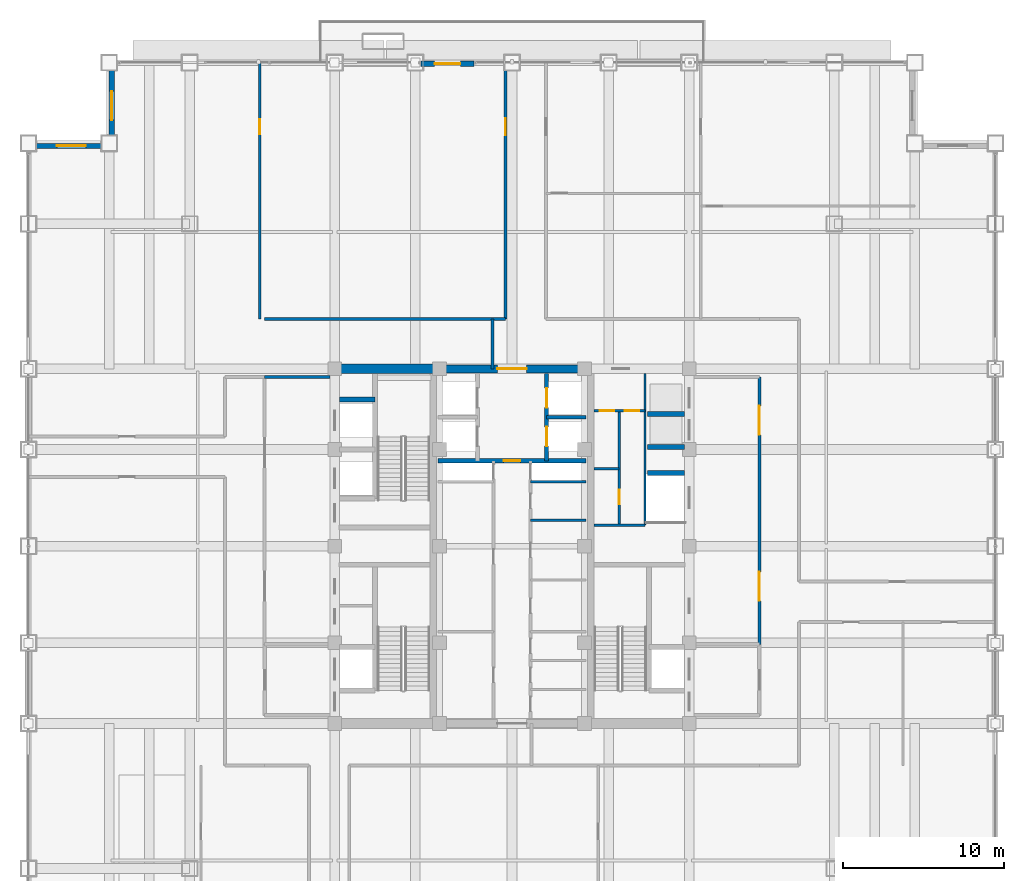
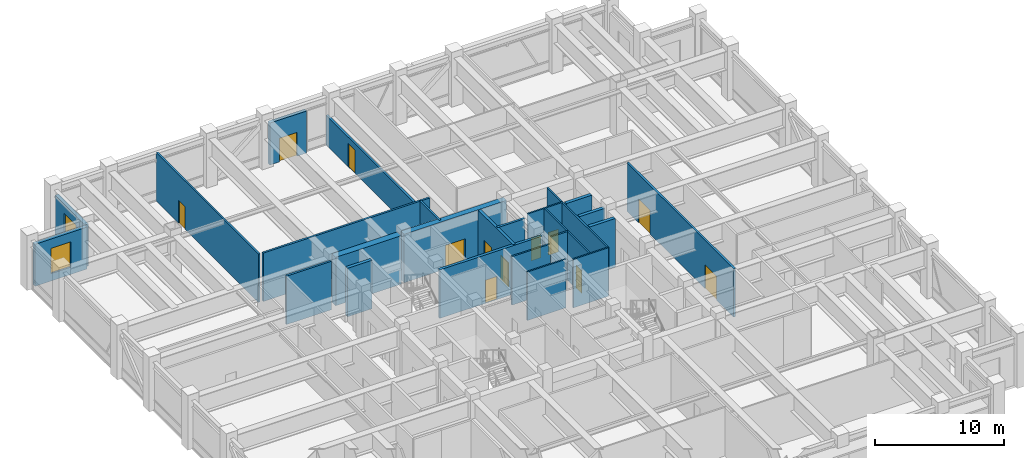
# One storey, part 26 of 33: 25 walls, 12 doors, 2 windows, 14 openings.
"""IFC4 building model written with IfcOpenShell, lengths in metres."""

from ifc_helpers import new_model, si_unit, direction, frame, frame_2d, origin, place, context, subcontext, project, spatial, rectangle, extrude, source, transform, mapped, material, layer, layer_set, type_object, element, fill, save


model = new_model("IFC4")

# Units and contexts
model_context = context("Model", 3, precision=1e-05, world=origin(), true_north=direction((0.0, 1.0)))
body_context = subcontext(model_context, "Body", "Model", "MODEL_VIEW")
ifc_project = project(units=[si_unit("LENGTHUNIT", "METRE"), si_unit("AREAUNIT", "SQUARE_METRE"), si_unit("VOLUMEUNIT", "CUBIC_METRE"), si_unit("PLANEANGLEUNIT", "RADIAN"), si_unit("MASSUNIT", "GRAM", prefix="KILO")], contexts=[model_context])

# Site, building, storey
site_placement = place(None, origin())
site = spatial("IfcSite", under=ifc_project, at=site_placement, CompositionType="ELEMENT")
building_placement = place(site_placement, origin())
building = spatial("IfcBuilding", under=site, at=building_placement, Name="Khorayat Bourse Tower", CompositionType="ELEMENT")
storey_placement = place(building_placement, frame((0.0, 0.0, 263.10009765625)))
storey = spatial("IfcBuildingStorey", under=building, at=storey_placement, Name="L62", CompositionType="ELEMENT", Elevation=263.10009765625)

# Wall
ifc_material_1 = material(Name="Concrete C60/75", Category="concrete")
ifc_layer_1 = layer(ifc_material_1, 0.60009765625)
ifc_layer_set_1 = layer_set([ifc_layer_1], Name="Concrete C60/75")
wall_type_1 = type_object("IfcWallType", Name="WAL-CORE-600", PredefinedType="SHEAR", material=ifc_layer_set_1)
shared_shape_1 = source(origin(), body_context, "Body", "SweptSolid", [
    extrude(rectangle(XDim=5.89990234375, YDim=0.60009765625, at=frame_2d((2.949951171875, 0.0))), origin(), (0.0, 0.0, 1.0), 4.599853515625),
])
wall_1_placement = place(storey_placement, frame((-10.75, 11.0, 0.0), z_axis=(0.0, 0.0, 1.0), x_axis=(1.0, 0.0, 0.0)))
element("IfcWall", 1, at=wall_1_placement, inside=storey, type_object=wall_type_1, Name="L62 Core Shear Wall PIER-WN", PredefinedType="SHEAR", context=body_context, shape_type="MappedRepresentation", body=[
    mapped(shared_shape_1, transform((0.0, 0.0, 0.0), scale=1.0)),
])

# Wall, opening, door
ifc_material_2 = material(Name="Concrete C52/65", Category="concrete")
ifc_layer_2 = layer(ifc_material_2, 0.5)
ifc_layer_set_2 = layer_set([ifc_layer_2], Name="Concrete C52/65")
wall_type_2 = type_object("IfcWallType", Name="WAL-CORE-500", PredefinedType="SHEAR", material=ifc_layer_set_2)
shared_shape_2 = source(origin(), body_context, "Body", "SweptSolid", [
    extrude(rectangle(XDim=9.2001953125, YDim=0.5, at=frame_2d((4.60009765625, 0.0))), origin(), (0.0, 0.0, 1.0), 4.599853515625),
])
wall_2_placement = place(storey_placement, frame((-4.60009765625, 11.0, 0.0), z_axis=(0.0, 0.0, 1.0), x_axis=(1.0, 0.0, 0.0)))
wall_2 = element("IfcWall", 2, at=wall_2_placement, inside=storey, type_object=wall_type_2, Name="L62 Core Shear Wall CORE-N", PredefinedType="SHEAR", context=body_context, shape_type="MappedRepresentation", body=[
    mapped(shared_shape_2, transform((0.0, 0.0, 0.0), scale=1.0)),
])
shared_shape_3 = source(origin(), body_context, "Body", "SweptSolid", [
    extrude(rectangle(XDim=1.800048828125, YDim=2.25, at=frame_2d((0.89990234375, 1.125))), frame((0.0, 0.260009765625, 0.0), z_axis=(0.0, -1.0, 0.0), x_axis=(1.0, 0.0, 0.0)), (0.0, 0.0, 1.0), 0.52001953125),
])
opening_1_placement = place(wall_2_placement, frame((3.699951171875, 0.0, 0.0)))
opening_1 = element("IfcOpeningElement", 3, at=opening_1_placement, cuts=wall_2, Name="Opening DI-03", PredefinedType="OPENING", context=body_context, shape_type="MappedRepresentation", body=[
    mapped(shared_shape_3, transform((0.0, 0.0, 0.0), scale=1.0)),
])
ifc_material_3 = material(Name="Fire-rated hardwood vision-panel double leaf", Category="wood")
door_type_1 = type_object("IfcDoorType", Name="DR-INT-CORR-1800", OperationType="NOTDEFINED", PredefinedType="DOOR", material=ifc_material_3)
shared_shape_4 = source(origin(), body_context, "Body", "SweptSolid", [
    extrude(rectangle(XDim=1.800048828125, YDim=2.25, at=frame_2d((0.89990234375, 1.125))), frame((0.0, 0.02490234375, 0.0), z_axis=(0.0, -1.0, 0.0), x_axis=(1.0, 0.0, 0.0)), (0.0, 0.0, 1.0), 0.050048828125),
])
door_1_placement = place(opening_1_placement, origin())
door_1 = element("IfcDoor", 4, at=door_1_placement, inside=storey, type_object=door_type_1, Name="L62 Mid-Rise Lift Lobby Door", OperationType="SINGLE_SWING_RIGHT", OverallHeight=2.25, OverallWidth=1.800048828125, PredefinedType="DOOR", context=body_context, shape_type="MappedRepresentation", body=[
    mapped(shared_shape_4, transform((0.0, 0.0, 0.0), scale=1.0)),
])
fill(opening_1, door_1)

# Wall, opening, window
ifc_material_4 = material(Name="Precast concrete C45/55", Category="concrete")
ifc_layer_3 = layer(ifc_material_4, 0.320068359375)
ifc_layer_set_3 = layer_set([ifc_layer_3], Name="Precast concrete C45/55")
wall_type_3 = type_object("IfcWallType", Name="WAL-EXT-STONE-320", PredefinedType="STANDARD", material=ifc_layer_set_3)
shared_shape_5 = source(origin(), body_context, "Body", "SweptSolid", [
    extrude(rectangle(XDim=4.679931640625, YDim=0.320068359375, at=frame_2d((2.33984375, 0.0))), origin(), (0.0, 0.0, 1.0), 3.98388671875),
])
wall_3_placement = place(storey_placement, frame((-24.840087890625, 25.0, 0.0), z_axis=(0.0, 0.0, 1.0), x_axis=(0.0, 1.0, 0.0)))
wall_3 = element("IfcWall", 5, at=wall_3_placement, inside=storey, type_object=wall_type_3, Name="L62 Re-Entrant Notch Limestone Wall NW-V", PredefinedType="STANDARD", context=body_context, shape_type="MappedRepresentation", body=[
    mapped(shared_shape_5, transform((0.0, 0.0, 0.0), scale=1.0)),
])
shared_shape_6 = source(origin(), body_context, "Body", "SweptSolid", [
    extrude(rectangle(XDim=1.800048828125, YDim=2.39990234375, at=frame_2d((0.89990234375, 1.199951171875))), frame((0.0, 0.169921875, 0.0), z_axis=(0.0, -1.0, 0.0), x_axis=(1.0, 0.0, 0.0)), (0.0, 0.0, 1.0), 0.340087890625),
])
opening_2_placement = place(wall_3_placement, frame((1.43994140625, 0.0, 0.699951171875)))
opening_2 = element("IfcOpeningElement", 6, at=opening_2_placement, cuts=wall_3, Name="Opening WN-04", PredefinedType="OPENING", context=body_context, shape_type="MappedRepresentation", body=[
    mapped(shared_shape_6, transform((0.0, 0.0, 0.0), scale=1.0)),
])
ifc_material_5 = material(Name="Low-E acoustic laminated double glazing", Category="glass")
window_type = type_object("IfcWindowType", Name="WIN-NOTCH-1800x2400", PartitioningType="SINGLE_PANEL", PredefinedType="WINDOW", material=ifc_material_5)
shared_shape_7 = source(origin(), body_context, "Body", "SweptSolid", [
    extrude(rectangle(XDim=1.800048828125, YDim=2.39990234375, at=frame_2d((0.89990234375, 1.199951171875))), frame((0.0, 0.030029296875, 0.0), z_axis=(0.0, -1.0, 0.0), x_axis=(1.0, 0.0, 0.0)), (0.0, 0.0, 1.0), 0.06005859375),
])
window_1_placement = place(opening_2_placement, origin())
window_1 = element("IfcWindow", 7, at=window_1_placement, inside=storey, type_object=window_type, Name="L62 Facade Window 1", OverallHeight=2.39990234375, OverallWidth=1.800048828125, PartitioningType="SINGLE_PANEL", PredefinedType="WINDOW", context=body_context, shape_type="MappedRepresentation", body=[
    mapped(shared_shape_7, transform((0.0, 0.0, 0.0), scale=1.0)),
])
fill(opening_2, window_1)

wall_4_placement = place(storey_placement, frame((-25.0, 24.840087890625, 0.0), z_axis=(0.0, 0.0, 1.0), x_axis=(-1.0, 0.0, 0.0)))
wall_4 = element("IfcWall", 8, at=wall_4_placement, inside=storey, type_object=wall_type_3, Name="L62 Re-Entrant Notch Limestone Wall NW-H", PredefinedType="STANDARD", context=body_context, shape_type="MappedRepresentation", body=[
    mapped(shared_shape_5, transform((0.0, 0.0, 0.0), scale=1.0)),
])
opening_3_placement = place(wall_4_placement, frame((1.43994140625, 0.0, 0.699951171875)))
opening_3 = element("IfcOpeningElement", 9, at=opening_3_placement, cuts=wall_4, Name="Opening WN-04", PredefinedType="OPENING", context=body_context, shape_type="MappedRepresentation", body=[
    mapped(shared_shape_6, transform((0.0, 0.0, 0.0), scale=1.0)),
])
window_2_placement = place(opening_3_placement, origin())
window_2 = element("IfcWindow", 10, at=window_2_placement, inside=storey, type_object=window_type, Name="L62 Facade Window 1", OverallHeight=2.39990234375, OverallWidth=1.800048828125, PartitioningType="SINGLE_PANEL", PredefinedType="WINDOW", context=body_context, shape_type="MappedRepresentation", body=[
    mapped(shared_shape_7, transform((0.0, 0.0, 0.0), scale=1.0)),
])
fill(opening_3, window_2)

# Wall, opening, door
shared_shape_8 = source(origin(), body_context, "Body", "SweptSolid", [
    extrude(rectangle(XDim=3.2998046875, YDim=0.320068359375, at=frame_2d((1.64990234375, 0.0))), origin(), (0.0, 0.0, 1.0), 3.98388671875),
])
wall_5_placement = place(storey_placement, frame((-5.64990234375, 29.93310546875, 0.0), z_axis=(0.0, 0.0, 1.0), x_axis=(1.0, 0.0, 0.0)))
wall_5 = element("IfcWall", 11, at=wall_5_placement, inside=storey, type_object=wall_type_3, Name="L62 Exterior Limestone Wall WAL-L62-TDPORT-N1", PredefinedType="STANDARD", context=body_context, shape_type="MappedRepresentation", body=[
    mapped(shared_shape_8, transform((0.0, 0.0, 0.0), scale=1.0)),
])
shared_shape_9 = source(origin(), body_context, "Body", "SweptSolid", [
    extrude(rectangle(XDim=1.60009765625, YDim=2.25, at=frame_2d((0.800048828125, 1.125))), frame((0.0, 0.169921875, 0.0), z_axis=(0.0, -1.0, 0.0), x_axis=(1.0, 0.0, 0.0)), (0.0, 0.0, 1.0), 0.340087890625),
])
opening_4_placement = place(wall_5_placement, frame((0.85009765625, 0.0, 0.0)))
opening_4 = element("IfcOpeningElement", 12, at=opening_4_placement, cuts=wall_5, Name="Opening DE-04", PredefinedType="OPENING", context=body_context, shape_type="MappedRepresentation", body=[
    mapped(shared_shape_9, transform((0.0, 0.0, 0.0), scale=1.0)),
])
ifc_material_6 = material(Name="Thermally broken aluminium terrace double door", Category="aluminium")
door_type_2 = type_object("IfcDoorType", Name="DR-EXT-TERR-1600", OperationType="NOTDEFINED", PredefinedType="DOOR", material=ifc_material_6)
shared_shape_10 = source(origin(), body_context, "Body", "SweptSolid", [
    extrude(rectangle(XDim=1.60009765625, YDim=2.25, at=frame_2d((0.800048828125, 1.125))), frame((0.0, 0.02490234375, 0.0), z_axis=(0.0, -1.0, 0.0), x_axis=(1.0, 0.0, 0.0)), (0.0, 0.0, 1.0), 0.050048828125),
])
door_2_placement = place(opening_4_placement, origin())
door_2 = element("IfcDoor", 13, at=door_2_placement, inside=storey, type_object=door_type_2, Name="L62 North Sky Garden Door", OperationType="DOUBLE_DOOR_SINGLE_SWING", OverallHeight=2.25, OverallWidth=1.60009765625, PredefinedType="DOOR", context=body_context, shape_type="MappedRepresentation", body=[
    mapped(shared_shape_10, transform((0.0, 0.0, 0.0), scale=1.0)),
])
fill(opening_4, door_2)

# Walls
ifc_material_7 = material(Name="Concrete C50/60", Category="concrete")
ifc_layer_4 = layer(ifc_material_7, 0.300048828125)
ifc_layer_set_4 = layer_set([ifc_layer_4], Name="Concrete C50/60")
wall_type_4 = type_object("IfcWallType", Name="WAL-SHAFT-300", PredefinedType="SHEAR", material=ifc_layer_set_4)
shared_shape_11 = source(origin(), body_context, "Body", "SweptSolid", [
    extrude(rectangle(XDim=2.199951171875, YDim=0.300048828125, at=frame_2d((1.10009765625, 0.0))), origin(), (0.0, 0.0, 1.0), 4.599853515625),
])
wall_6_placement = place(storey_placement, frame((-10.699951171875, 9.10009765625, 0.0), z_axis=(0.0, 0.0, 1.0), x_axis=(1.0, 0.0, 0.0)))
element("IfcWall", 14, at=wall_6_placement, inside=storey, type_object=wall_type_4, Name="L62 Partition WAL-L62-WPIER-H2N", PredefinedType="SHEAR", context=body_context, shape_type="MappedRepresentation", body=[
    mapped(shared_shape_11, transform((0.0, 0.0, 0.0), scale=1.0)),
])
shared_shape_12 = source(origin(), body_context, "Body", "SweptSolid", [
    extrude(rectangle(XDim=2.300048828125, YDim=0.300048828125, at=frame_2d((1.14990234375, 0.0))), origin(), (0.0, 0.0, 1.0), 4.599853515625),
])
for number, where, z_axis, x_axis, name in (
    (15, (8.39990234375, 4.550048828125, 0.0), (0.0, 0.0, 1.0), (1.0, 0.0, 0.0), "L62 Partition WAL-L62-EPIER-SVLN"),
    (16, (8.39990234375, 6.14990234375, 0.0), (0.0, 0.0, 1.0), (1.0, 0.0, 0.0), "L62 Partition WAL-L62-EPIER-H3S"),
    (17, (8.39990234375, 8.199951171875, 0.0), (0.0, 0.0, 1.0), (1.0, 0.0, 0.0), "L62 Partition WAL-L62-EPIER-H34"),
):
    element("IfcWall", number, at=place(storey_placement, frame(where, z_axis=z_axis, x_axis=x_axis)), inside=storey, type_object=wall_type_4, Name=name, PredefinedType="SHEAR", context=body_context, shape_type="MappedRepresentation", body=[
        mapped(shared_shape_12, transform((0.0, 0.0, 0.0), scale=1.0)),
    ])
ifc_material_8 = material(Name="Moisture-resistant masonry partition", Category="masonry")
ifc_layer_5 = layer(ifc_material_8, 0.139892578125)
ifc_layer_set_5 = layer_set([ifc_layer_5], Name="Moisture-resistant masonry partition")
wall_type_5 = type_object("IfcWallType", Name="WAL-PART-WET-140", PredefinedType="PARTITIONING", material=ifc_layer_set_5)
shared_shape_13 = source(origin(), body_context, "Body", "SweptSolid", [
    extrude(rectangle(XDim=9.39990234375, YDim=0.139892578125, at=frame_2d((4.699951171875, 0.0))), origin(), (0.0, 0.0, 1.0), 4.599853515625),
])
wall_7_placement = place(storey_placement, frame((8.25, 1.300048828125, 0.0), z_axis=(0.0, 0.0, 1.0), x_axis=(0.0, 1.0, 0.0)))
element("IfcWall", 18, at=wall_7_placement, inside=storey, type_object=wall_type_5, Name="L62 Partition WAL-L62-ECORE-E", PredefinedType="PARTITIONING", context=body_context, shape_type="MappedRepresentation", body=[
    mapped(shared_shape_13, transform((0.0, 0.0, 0.0), scale=1.0)),
])
shared_shape_14 = source(origin(), body_context, "Body", "SweptSolid", [
    extrude(rectangle(XDim=3.14990234375, YDim=0.139892578125, at=frame_2d((1.574951171875, 0.0))), origin(), (0.0, 0.0, 1.0), 4.599853515625),
])
wall_8_placement = place(storey_placement, frame((5.10009765625, 1.300048828125, 0.0), z_axis=(0.0, 0.0, 1.0), x_axis=(1.0, 0.0, 0.0)))
element("IfcWall", 19, at=wall_8_placement, inside=storey, type_object=wall_type_5, Name="L62 Partition WAL-L62-ECORE-S", PredefinedType="PARTITIONING", context=body_context, shape_type="MappedRepresentation", body=[
    mapped(shared_shape_14, transform((0.0, 0.0, 0.0), scale=1.0)),
])

# Wall, openings, doors
wall_9_placement = place(storey_placement, frame((5.10009765625, 8.39990234375, 0.0), z_axis=(0.0, 0.0, 1.0), x_axis=(1.0, 0.0, 0.0)))
wall_9 = element("IfcWall", 20, at=wall_9_placement, inside=storey, type_object=wall_type_5, Name="L62 Partition WAL-L62-ECW-TOP", PredefinedType="PARTITIONING", context=body_context, shape_type="MappedRepresentation", body=[
    mapped(shared_shape_14, transform((0.0, 0.0, 0.0), scale=1.0)),
])
shared_shape_15 = source(origin(), body_context, "Body", "SweptSolid", [
    extrude(rectangle(XDim=0.89990234375, YDim=2.14990234375, at=frame_2d((0.449951171875, 1.074951171875))), frame((0.0, 0.079833984375, 0.0), z_axis=(0.0, -1.0, 0.0), x_axis=(1.0, 0.0, 0.0)), (0.0, 0.0, 1.0), 0.159912109375),
])
opening_5_placement = place(wall_9_placement, frame((0.330078125, 0.0, 0.0)))
opening_5 = element("IfcOpeningElement", 21, at=opening_5_placement, cuts=wall_9, Name="Opening DI-06", PredefinedType="OPENING", context=body_context, shape_type="MappedRepresentation", body=[
    mapped(shared_shape_15, transform((0.0, 0.0, 0.0), scale=1.0)),
])
opening_6_placement = place(wall_9_placement, frame((1.89990234375, 0.0, 0.0)))
opening_6 = element("IfcOpeningElement", 22, at=opening_6_placement, cuts=wall_9, Name="Opening DI-06", PredefinedType="OPENING", context=body_context, shape_type="MappedRepresentation", body=[
    mapped(shared_shape_15, transform((0.0, 0.0, 0.0), scale=1.0)),
])
ifc_material_9 = material(Name="Moisture-resistant laminate washroom door")
door_type_3 = type_object("IfcDoorType", Name="DR-INT-WC-900", OperationType="NOTDEFINED", PredefinedType="DOOR", material=ifc_material_9)
shared_shape_16 = source(origin(), body_context, "Body", "SweptSolid", [
    extrude(rectangle(XDim=0.89990234375, YDim=2.14990234375, at=frame_2d((0.449951171875, 1.074951171875))), frame((0.0, 0.02490234375, 0.0), z_axis=(0.0, -1.0, 0.0), x_axis=(1.0, 0.0, 0.0)), (0.0, 0.0, 1.0), 0.050048828125),
])
door_3_placement = place(opening_5_placement, origin())
door_3 = element("IfcDoor", 23, at=door_3_placement, inside=storey, type_object=door_type_3, Name="L62 Accessible WC Door", OperationType="SINGLE_SWING_LEFT", OverallHeight=2.14990234375, OverallWidth=0.89990234375, PredefinedType="DOOR", context=body_context, shape_type="MappedRepresentation", body=[
    mapped(shared_shape_16, transform((0.0, 0.0, 0.0), scale=1.0)),
])
fill(opening_5, door_3)
door_4_placement = place(opening_6_placement, origin())
door_4 = element("IfcDoor", 24, at=door_4_placement, inside=storey, type_object=door_type_3, Name="L62 Shared Washroom Door", OperationType="SINGLE_SWING_RIGHT", OverallHeight=2.14990234375, OverallWidth=0.89990234375, PredefinedType="DOOR", context=body_context, shape_type="MappedRepresentation", body=[
    mapped(shared_shape_16, transform((0.0, 0.0, 0.0), scale=1.0)),
])
fill(opening_6, door_4)

# Wall, opening, door
shared_shape_17 = source(origin(), body_context, "Body", "SweptSolid", [
    extrude(rectangle(XDim=7.099853515625, YDim=0.139892578125, at=frame_2d((3.5498046875, 0.0))), origin(), (0.0, 0.0, 1.0), 4.599853515625),
])
wall_10_placement = place(storey_placement, frame((6.64990234375, 1.300048828125, 0.0), z_axis=(0.0, 0.0, 1.0), x_axis=(0.0, 1.0, 0.0)))
wall_10 = element("IfcWall", 25, at=wall_10_placement, inside=storey, type_object=wall_type_5, Name="L62 Partition WAL-L62-ECW-MID", PredefinedType="PARTITIONING", context=body_context, shape_type="MappedRepresentation", body=[
    mapped(shared_shape_17, transform((0.0, 0.0, 0.0), scale=1.0)),
])
opening_7_placement = place(wall_10_placement, frame((1.300048828125, 0.0, 0.0)))
opening_7 = element("IfcOpeningElement", 26, at=opening_7_placement, cuts=wall_10, Name="Opening DI-06", PredefinedType="OPENING", context=body_context, shape_type="MappedRepresentation", body=[
    mapped(shared_shape_15, transform((0.0, 0.0, 0.0), scale=1.0)),
])
door_5_placement = place(opening_7_placement, origin())
door_5 = element("IfcDoor", 27, at=door_5_placement, inside=storey, type_object=door_type_3, Name="L62 Janitor Store Door", OperationType="SINGLE_SWING_LEFT", OverallHeight=2.14990234375, OverallWidth=0.89990234375, PredefinedType="DOOR", context=body_context, shape_type="MappedRepresentation", body=[
    mapped(shared_shape_16, transform((0.0, 0.0, 0.0), scale=1.0)),
])
fill(opening_7, door_5)

# Walls
shared_shape_18 = source(origin(), body_context, "Body", "SweptSolid", [
    extrude(rectangle(XDim=1.5498046875, YDim=0.139892578125, at=frame_2d((0.77490234375, 0.0))), origin(), (0.0, 0.0, 1.0), 4.599853515625),
])
wall_11_placement = place(storey_placement, frame((5.10009765625, 4.800048828125, 0.0), z_axis=(0.0, 0.0, 1.0), x_axis=(1.0, 0.0, 0.0)))
element("IfcWall", 28, at=wall_11_placement, inside=storey, type_object=wall_type_5, Name="L62 Partition WAL-L62-ECW-BOT", PredefinedType="PARTITIONING", context=body_context, shape_type="MappedRepresentation", body=[
    mapped(shared_shape_18, transform((0.0, 0.0, 0.0), scale=1.0)),
])
ifc_material_10 = material(Name="Gypsum plasterboard acoustic stud wall")
ifc_layer_6 = layer(ifc_material_10, 0.179931640625)
ifc_layer_set_6 = layer_set([ifc_layer_6], Name="Gypsum plasterboard acoustic stud wall")
wall_type_6 = type_object("IfcWallType", Name="WAL-PART-CORR-180", PredefinedType="PARTITIONING", material=ifc_layer_set_6)
shared_shape_19 = source(origin(), body_context, "Body", "SweptSolid", [
    extrude(rectangle(XDim=4.050048828125, YDim=0.179931640625, at=frame_2d((2.02490234375, 0.0))), origin(), (0.0, 0.0, 1.0), 4.599853515625),
])
wall_12_placement = place(storey_placement, frame((-15.35009765625, 10.5, 0.0), z_axis=(0.0, 0.0, 1.0), x_axis=(1.0, 0.0, 0.0)))
element("IfcWall", 29, at=wall_12_placement, inside=storey, type_object=wall_type_6, Name="L62 Partition WAL-L62-WLOB-N", PredefinedType="PARTITIONING", context=body_context, shape_type="MappedRepresentation", body=[
    mapped(shared_shape_19, transform((0.0, 0.0, 0.0), scale=1.0)),
])

# Wall, openings, doors
shared_shape_20 = source(origin(), body_context, "Body", "SweptSolid", [
    extrude(rectangle(XDim=16.60009765625, YDim=0.179931640625, at=frame_2d((8.300048828125, 0.0))), origin(), (0.0, 0.0, 1.0), 4.599853515625),
])
wall_13_placement = place(storey_placement, frame((15.35009765625, -6.10009765625, 0.0), z_axis=(0.0, 0.0, 1.0), x_axis=(0.0, 1.0, 0.0)))
wall_13 = element("IfcWall", 30, at=wall_13_placement, inside=storey, type_object=wall_type_6, Name="L62 Partition WAL-L62-ELOB-E", PredefinedType="PARTITIONING", context=body_context, shape_type="MappedRepresentation", body=[
    mapped(shared_shape_20, transform((0.0, 0.0, 0.0), scale=1.0)),
])
shared_shape_21 = source(origin(), body_context, "Body", "SweptSolid", [
    extrude(rectangle(XDim=1.800048828125, YDim=2.25, at=frame_2d((0.89990234375, 1.125))), frame((0.0, 0.099853515625, 0.0), z_axis=(0.0, -1.0, 0.0), x_axis=(1.0, 0.0, 0.0)), (0.0, 0.0, 1.0), 0.199951171875),
])
opening_8_placement = place(wall_13_placement, frame((2.699951171875, 0.0, 0.0)))
opening_8 = element("IfcOpeningElement", 31, at=opening_8_placement, cuts=wall_13, Name="Opening DI-03", PredefinedType="OPENING", context=body_context, shape_type="MappedRepresentation", body=[
    mapped(shared_shape_21, transform((0.0, 0.0, 0.0), scale=1.0)),
])
opening_9_placement = place(wall_13_placement, frame((13.0, 0.0, 0.0)))
opening_9 = element("IfcOpeningElement", 32, at=opening_9_placement, cuts=wall_13, Name="Opening DI-03", PredefinedType="OPENING", context=body_context, shape_type="MappedRepresentation", body=[
    mapped(shared_shape_21, transform((0.0, 0.0, 0.0), scale=1.0)),
])
door_6_placement = place(opening_8_placement, origin())
door_6 = element("IfcDoor", 33, at=door_6_placement, inside=storey, type_object=door_type_1, Name="L62 East Core Lobby South Door", OperationType="SINGLE_SWING_RIGHT", OverallHeight=2.25, OverallWidth=1.800048828125, PredefinedType="DOOR", context=body_context, shape_type="MappedRepresentation", body=[
    mapped(shared_shape_4, transform((0.0, 0.0, 0.0), scale=1.0)),
])
fill(opening_8, door_6)
door_7_placement = place(opening_9_placement, origin())
door_7 = element("IfcDoor", 34, at=door_7_placement, inside=storey, type_object=door_type_1, Name="L62 East Core Lobby North Door", OperationType="SINGLE_SWING_LEFT", OverallHeight=2.25, OverallWidth=1.800048828125, PredefinedType="DOOR", context=body_context, shape_type="MappedRepresentation", body=[
    mapped(shared_shape_4, transform((0.0, 0.0, 0.0), scale=1.0)),
])
fill(opening_9, door_7)

# Walls
ifc_material_11 = material(Name="Gypsum plasterboard twin-frame partition")
ifc_layer_7 = layer(ifc_material_11, 0.14990234375)
ifc_layer_set_7 = layer_set([ifc_layer_7], Name="Gypsum plasterboard twin-frame partition")
wall_type_7 = type_object("IfcWallType", Name="WAL-PART-SUITE-150", PredefinedType="PARTITIONING", material=ifc_layer_set_7)
shared_shape_22 = source(origin(), body_context, "Body", "SweptSolid", [
    extrude(rectangle(XDim=3.4501953125, YDim=0.14990234375, at=frame_2d((1.72509765625, 0.0))), origin(), (0.0, 0.0, 1.0), 4.599853515625),
])
wall_14_placement = place(storey_placement, frame((1.14990234375, 4.0, 0.0), z_axis=(0.0, 0.0, 1.0), x_axis=(1.0, 0.0, 0.0)))
element("IfcWall", 35, at=wall_14_placement, inside=storey, type_object=wall_type_7, Name="L62 Partition WAL-L62-CRSE-S", PredefinedType="PARTITIONING", context=body_context, shape_type="MappedRepresentation", body=[
    mapped(shared_shape_22, transform((0.0, 0.0, 0.0), scale=1.0)),
])
shared_shape_23 = source(origin(), body_context, "Body", "SweptSolid", [
    extrude(rectangle(XDim=3.4501953125, YDim=0.139892578125, at=frame_2d((1.72509765625, 0.0))), origin(), (0.0, 0.0, 1.0), 4.599853515625),
])
wall_15_placement = place(storey_placement, frame((1.14990234375, 1.60009765625, 0.0), z_axis=(0.0, 0.0, 1.0), x_axis=(1.0, 0.0, 0.0)))
element("IfcWall", 36, at=wall_15_placement, inside=storey, type_object=wall_type_5, Name="L62 Partition WAL-L62-CME-D2", PredefinedType="PARTITIONING", context=body_context, shape_type="MappedRepresentation", body=[
    mapped(shared_shape_23, transform((0.0, 0.0, 0.0), scale=1.0)),
])

# Wall, openings, doors
shared_shape_24 = source(origin(), body_context, "Body", "SweptSolid", [
    extrude(rectangle(XDim=5.39990234375, YDim=0.25, at=frame_2d((2.699951171875, 0.0))), origin(), (0.0, 0.0, 1.0), 4.599853515625),
])
wall_16_placement = place(storey_placement, frame((2.14990234375, 5.300048828125, 0.0), z_axis=(0.0, 0.0, 1.0), x_axis=(0.0, 1.0, 0.0)))
wall_16 = element("IfcWall", 37, at=wall_16_placement, inside=storey, type_object=wall_type_4, Name="L62 Partition WAL-L62-B2-E", PredefinedType="SHEAR", context=body_context, shape_type="MappedRepresentation", body=[
    mapped(shared_shape_24, transform((0.0, 0.0, 0.0), scale=1.0)),
])
shared_shape_25 = source(origin(), body_context, "Body", "SweptSolid", [
    extrude(rectangle(XDim=1.199951171875, YDim=2.300048828125, at=frame_2d((0.60009765625, 1.14990234375))), frame((0.0, 0.135009765625, 0.0), z_axis=(0.0, -1.0, 0.0), x_axis=(1.0, 0.0, 0.0)), (0.0, 0.0, 1.0), 0.27001953125),
])
opening_10_placement = place(wall_16_placement, frame((3.300048828125, 0.0, 0.0)))
opening_10 = element("IfcOpeningElement", 38, at=opening_10_placement, cuts=wall_16, Name="Opening LD-01", PredefinedType="OPENING", context=body_context, shape_type="MappedRepresentation", body=[
    mapped(shared_shape_25, transform((0.0, 0.0, 0.0), scale=1.0)),
])
opening_11_placement = place(wall_16_placement, frame((0.89990234375, 0.0, 0.0)))
opening_11 = element("IfcOpeningElement", 39, at=opening_11_placement, cuts=wall_16, Name="Opening LD-01", PredefinedType="OPENING", context=body_context, shape_type="MappedRepresentation", body=[
    mapped(shared_shape_25, transform((0.0, 0.0, 0.0), scale=1.0)),
])
ifc_material_12 = material(Name="Brushed bronze stainless-steel sliding door", Category="steel")
door_type_4 = type_object("IfcDoorType", Name="DR-LIFT-PASS-1200", OperationType="NOTDEFINED", PredefinedType="DOOR", material=ifc_material_12)
shared_shape_26 = source(origin(), body_context, "Body", "SweptSolid", [
    extrude(rectangle(XDim=1.199951171875, YDim=2.300048828125, at=frame_2d((0.60009765625, 1.14990234375))), frame((0.0, 0.02490234375, 0.0), z_axis=(0.0, -1.0, 0.0), x_axis=(1.0, 0.0, 0.0)), (0.0, 0.0, 1.0), 0.050048828125),
])
door_8_placement = place(opening_10_placement, origin())
door_8 = element("IfcDoor", 40, at=door_8_placement, inside=storey, type_object=door_type_4, Name="L62 Lift PL-M2 Sliding Landing Door", OperationType="SLIDING_TO_LEFT", OverallHeight=2.300048828125, OverallWidth=1.199951171875, PredefinedType="DOOR", context=body_context, shape_type="MappedRepresentation", body=[
    mapped(shared_shape_26, transform((0.0, 0.0, 0.0), scale=1.0)),
])
fill(opening_10, door_8)
door_9_placement = place(opening_11_placement, origin())
door_9 = element("IfcDoor", 41, at=door_9_placement, inside=storey, type_object=door_type_4, Name="L62 Lift PL-M4 Sliding Landing Door", OperationType="SLIDING_TO_LEFT", OverallHeight=2.300048828125, OverallWidth=1.199951171875, PredefinedType="DOOR", context=body_context, shape_type="MappedRepresentation", body=[
    mapped(shared_shape_26, transform((0.0, 0.0, 0.0), scale=1.0)),
])
fill(opening_11, door_9)

# Wall
shared_shape_27 = source(origin(), body_context, "Body", "SweptSolid", [
    extrude(rectangle(XDim=2.4501953125, YDim=0.199951171875, at=frame_2d((1.22509765625, 0.0))), origin(), (0.0, 0.0, 1.0), 4.599853515625),
])
wall_17_placement = place(storey_placement, frame((2.14990234375, 8.0, 0.0), z_axis=(0.0, 0.0, 1.0), x_axis=(1.0, 0.0, 0.0)))
element("IfcWall", 42, at=wall_17_placement, inside=storey, type_object=wall_type_4, Name="L62 Partition WAL-L62-B2-ME", PredefinedType="SHEAR", context=body_context, shape_type="MappedRepresentation", body=[
    mapped(shared_shape_27, transform((0.0, 0.0, 0.0), scale=1.0)),
])

# Wall, opening, door
shared_shape_28 = source(origin(), body_context, "Body", "SweptSolid", [
    extrude(rectangle(XDim=9.2001953125, YDim=0.25, at=frame_2d((4.60009765625, 0.0))), origin(), (0.0, 0.0, 1.0), 4.599853515625),
])
wall_18_placement = place(storey_placement, frame((-4.60009765625, 5.300048828125, 0.0), z_axis=(0.0, 0.0, 1.0), x_axis=(1.0, 0.0, 0.0)))
wall_18 = element("IfcWall", 43, at=wall_18_placement, inside=storey, type_object=wall_type_4, Name="L62 Partition WAL-L62-B2-S", PredefinedType="SHEAR", context=body_context, shape_type="MappedRepresentation", body=[
    mapped(shared_shape_28, transform((0.0, 0.0, 0.0), scale=1.0)),
])
shared_shape_29 = source(origin(), body_context, "Body", "SweptSolid", [
    extrude(rectangle(XDim=1.050048828125, YDim=2.199951171875, at=frame_2d((0.52490234375, 1.10009765625))), frame((0.0, 0.135009765625, 0.0), z_axis=(0.0, -1.0, 0.0), x_axis=(1.0, 0.0, 0.0)), (0.0, 0.0, 1.0), 0.27001953125),
])
opening_12_placement = place(wall_18_placement, frame((4.074951171875, 0.0, 0.0)))
opening_12 = element("IfcOpeningElement", 44, at=opening_12_placement, cuts=wall_18, Name="Opening DI-04", PredefinedType="OPENING", context=body_context, shape_type="MappedRepresentation", body=[
    mapped(shared_shape_29, transform((0.0, 0.0, 0.0), scale=1.0)),
])
ifc_material_13 = material(Name="Fire-rated oak veneer suite entrance door")
door_type_5 = type_object("IfcDoorType", Name="DR-INT-SUITE-1050", OperationType="NOTDEFINED", PredefinedType="DOOR", material=ifc_material_13)
shared_shape_30 = source(origin(), body_context, "Body", "SweptSolid", [
    extrude(rectangle(XDim=1.050048828125, YDim=2.199951171875, at=frame_2d((0.52490234375, 1.10009765625))), frame((0.0, 0.02490234375, 0.0), z_axis=(0.0, -1.0, 0.0), x_axis=(1.0, 0.0, 0.0)), (0.0, 0.0, 1.0), 0.050048828125),
])
door_10_placement = place(opening_12_placement, origin())
door_10 = element("IfcDoor", 45, at=door_10_placement, inside=storey, type_object=door_type_5, Name="L62 Core Spine North Door", OperationType="SINGLE_SWING_RIGHT", OverallHeight=2.199951171875, OverallWidth=1.050048828125, PredefinedType="DOOR", context=body_context, shape_type="MappedRepresentation", body=[
    mapped(shared_shape_30, transform((0.0, 0.0, 0.0), scale=1.0)),
])
fill(opening_12, door_10)

# Wall
shared_shape_31 = source(origin(), body_context, "Body", "SweptSolid", [
    extrude(rectangle(XDim=3.10009765625, YDim=0.179931640625, at=frame_2d((1.550048828125, 0.0))), origin(), (0.0, 0.0, 1.0), 4.599853515625),
])
wall_19_placement = place(storey_placement, frame((-1.199951171875, 11.0, 0.0), z_axis=(0.0, 0.0, 1.0), x_axis=(0.0, 1.0, 0.0)))
element("IfcWall", 46, at=wall_19_placement, inside=storey, type_object=wall_type_6, Name="L62 Partition WAL-L62-C2-NCW", PredefinedType="PARTITIONING", context=body_context, shape_type="MappedRepresentation", body=[
    mapped(shared_shape_31, transform((0.0, 0.0, 0.0), scale=1.0)),
])

# Wall, opening, door
shared_shape_32 = source(origin(), body_context, "Body", "SweptSolid", [
    extrude(rectangle(XDim=15.89990234375, YDim=0.14990234375, at=frame_2d((7.949951171875, 0.0))), origin(), (0.0, 0.0, 1.0), 4.599853515625),
])
wall_20_placement = place(storey_placement, frame((-15.652099609375, 14.10009765625, 0.0), z_axis=(0.0, 0.0, 1.0), x_axis=(0.0, 1.0, 0.0)))
wall_20 = element("IfcWall", 47, at=wall_20_placement, inside=storey, type_object=wall_type_7, Name="L62 Partition WAL-L62-QNWDV-1", PredefinedType="PARTITIONING", context=body_context, shape_type="MappedRepresentation", body=[
    mapped(shared_shape_32, transform((0.0, 0.0, 0.0), scale=1.0)),
])
shared_shape_33 = source(origin(), body_context, "Body", "SweptSolid", [
    extrude(rectangle(XDim=0.949951171875, YDim=2.14990234375, at=frame_2d((0.47509765625, 1.074951171875))), frame((0.0, 0.0849609375, 0.0), z_axis=(0.0, -1.0, 0.0), x_axis=(1.0, 0.0, 0.0)), (0.0, 0.0, 1.0), 0.169921875),
])
opening_13_placement = place(wall_20_placement, frame((11.449951171875, 0.0, 0.0)))
opening_13 = element("IfcOpeningElement", 48, at=opening_13_placement, cuts=wall_20, Name="Opening DI-05", PredefinedType="OPENING", context=body_context, shape_type="MappedRepresentation", body=[
    mapped(shared_shape_33, transform((0.0, 0.0, 0.0), scale=1.0)),
])
ifc_material_14 = material(Name="Acoustic oak veneer office door")
door_type_6 = type_object("IfcDoorType", Name="DR-INT-OFFICE-950", OperationType="NOTDEFINED", PredefinedType="DOOR", material=ifc_material_14)
shared_shape_34 = source(origin(), body_context, "Body", "SweptSolid", [
    extrude(rectangle(XDim=0.949951171875, YDim=2.14990234375, at=frame_2d((0.47509765625, 1.074951171875))), frame((0.0, 0.02490234375, 0.0), z_axis=(0.0, -1.0, 0.0), x_axis=(1.0, 0.0, 0.0)), (0.0, 0.0, 1.0), 0.050048828125),
])
door_11_placement = place(opening_13_placement, origin())
door_11 = element("IfcDoor", 49, at=door_11_placement, inside=storey, type_object=door_type_6, Name="L62 North-West Suite Link 1", OperationType="SINGLE_SWING_RIGHT", OverallHeight=2.14990234375, OverallWidth=0.949951171875, PredefinedType="DOOR", context=body_context, shape_type="MappedRepresentation", body=[
    mapped(shared_shape_34, transform((0.0, 0.0, 0.0), scale=1.0)),
])
fill(opening_13, door_11)

shared_shape_35 = source(origin(), body_context, "Body", "SweptSolid", [
    extrude(rectangle(XDim=15.89990234375, YDim=0.179931640625, at=frame_2d((7.949951171875, 0.0))), origin(), (0.0, 0.0, 1.0), 2.7998046875),
])
wall_21_placement = place(storey_placement, frame((-0.39990234375, 14.10009765625, 0.0), z_axis=(0.0, 0.0, 1.0), x_axis=(0.0, 1.0, 0.0)))
wall_21 = element("IfcWall", 50, at=wall_21_placement, inside=storey, type_object=wall_type_6, Name="L62 Partition WAL-L62-QNW-SPK", PredefinedType="PARTITIONING", context=body_context, shape_type="MappedRepresentation", body=[
    mapped(shared_shape_35, transform((0.0, 0.0, 0.0), scale=1.0)),
])
shared_shape_36 = source(origin(), body_context, "Body", "SweptSolid", [
    extrude(rectangle(XDim=1.050048828125, YDim=2.199951171875, at=frame_2d((0.52490234375, 1.10009765625))), frame((0.0, 0.099853515625, 0.0), z_axis=(0.0, -1.0, 0.0), x_axis=(1.0, 0.0, 0.0)), (0.0, 0.0, 1.0), 0.199951171875),
])
opening_14_placement = place(wall_21_placement, frame((11.39990234375, 0.0, 0.0)))
opening_14 = element("IfcOpeningElement", 51, at=opening_14_placement, cuts=wall_21, Name="Opening DI-04", PredefinedType="OPENING", context=body_context, shape_type="MappedRepresentation", body=[
    mapped(shared_shape_36, transform((0.0, 0.0, 0.0), scale=1.0)),
])
door_12_placement = place(opening_14_placement, origin())
door_12 = element("IfcDoor", 52, at=door_12_placement, inside=storey, type_object=door_type_5, Name="L62 North-West Radial Spoke Entry", OperationType="SINGLE_SWING_LEFT", OverallHeight=2.199951171875, OverallWidth=1.050048828125, PredefinedType="DOOR", context=body_context, shape_type="MappedRepresentation", body=[
    mapped(shared_shape_30, transform((0.0, 0.0, 0.0), scale=1.0)),
])
fill(opening_14, door_12)

# Wall
shared_shape_37 = source(origin(), body_context, "Body", "SweptSolid", [
    extrude(rectangle(XDim=14.9501953125, YDim=0.179931640625, at=frame_2d((7.47509765625, 0.0))), origin(), (0.0, 0.0, 1.0), 4.599853515625),
])
wall_22_placement = place(storey_placement, frame((-15.35009765625, 14.10009765625, 0.0), z_axis=(0.0, 0.0, 1.0), x_axis=(1.0, 0.0, 0.0)))
element("IfcWall", 53, at=wall_22_placement, inside=storey, type_object=wall_type_6, Name="L62 Partition WAL-L62-QNW-HC", PredefinedType="PARTITIONING", context=body_context, shape_type="MappedRepresentation", body=[
    mapped(shared_shape_37, transform((0.0, 0.0, 0.0), scale=1.0)),
])

save(model, "model.ifc")
